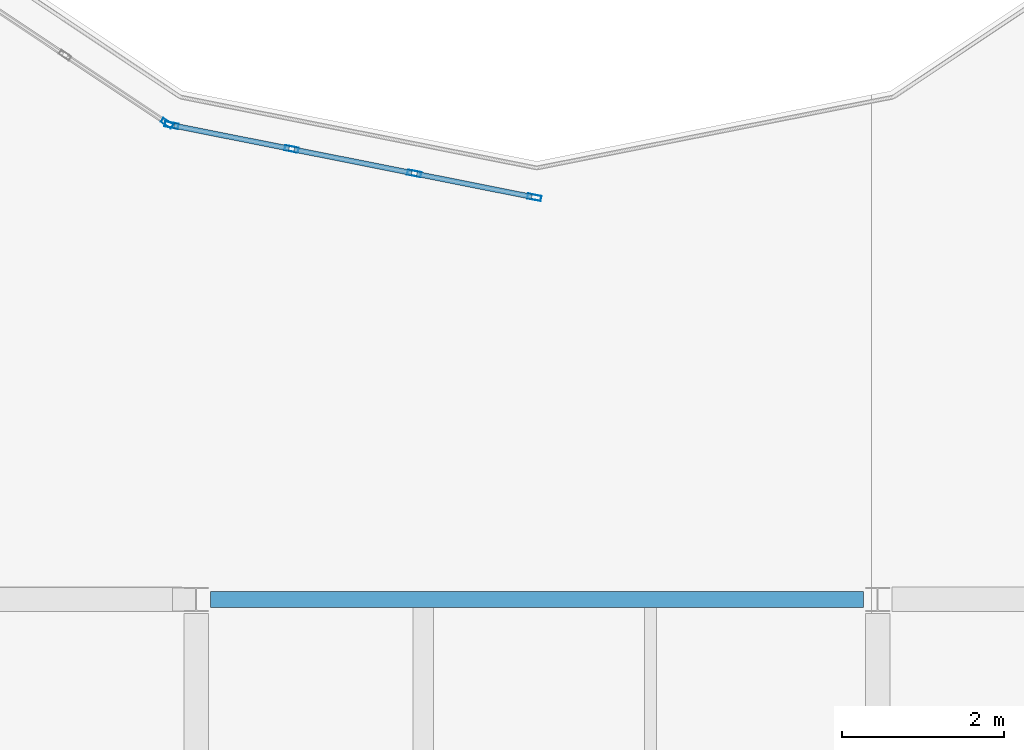
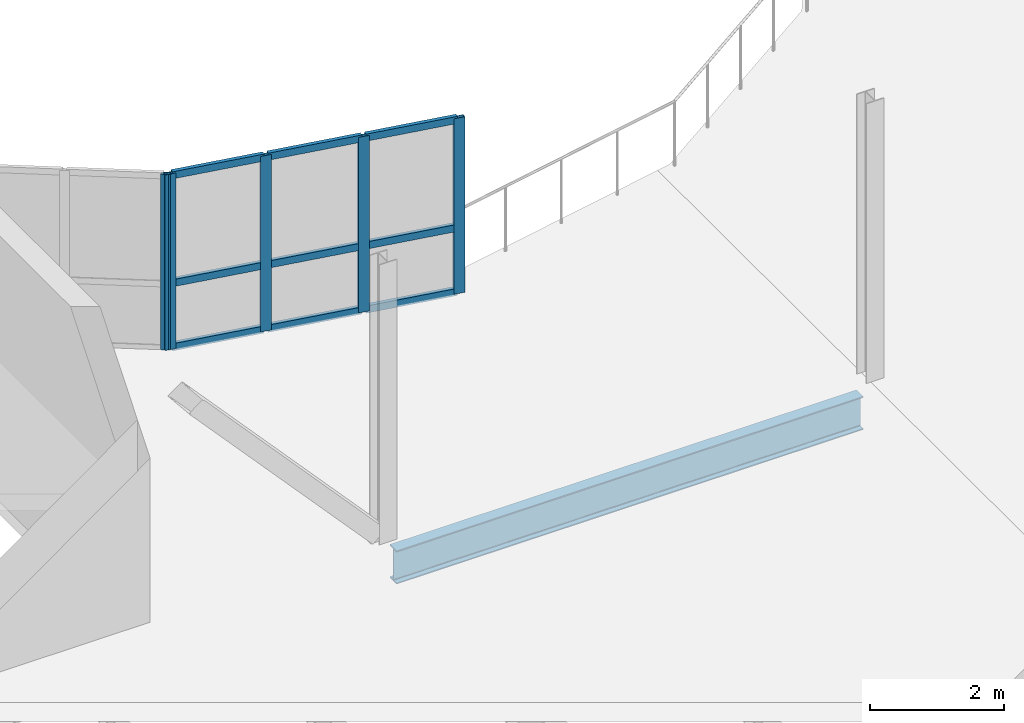
# One storey, part 17 of 91: 14 members, 1 beam, 2 elements without a shape of their own.
"""IFC4 building model written with IfcOpenShell, lengths in metres."""

from ifc_helpers import new_model, si_unit, direction, frame, origin, origin_2d, place, context, subcontext, project, spatial, hollow_rectangle, i_section, extrude, material, layer, layer_set, material_profile, profile_set, type_object, element, aggregate, save


model = new_model("IFC4")

# Units and contexts
model_context = context("Model", 3, precision=1e-05, world=origin(), true_north=direction((0.0, 1.0)))
body_context = subcontext(model_context, "Body", "Model", "MODEL_VIEW")
ifc_project = project(units=[si_unit("LENGTHUNIT", "METRE"), si_unit("AREAUNIT", "SQUARE_METRE"), si_unit("VOLUMEUNIT", "CUBIC_METRE"), si_unit("PLANEANGLEUNIT", "RADIAN"), si_unit("MASSUNIT", "GRAM", prefix="KILO"), si_unit("THERMODYNAMICTEMPERATUREUNIT", "KELVIN")], contexts=[model_context])

# Site, building, storey
site_placement = place(None, origin())
site = spatial("IfcSite", under=ifc_project, at=site_placement, CompositionType="ELEMENT")
building_placement = place(site_placement, origin())
building = spatial("IfcBuilding", under=site, at=building_placement, Name="Lustrewick Department Store", CompositionType="ELEMENT")
storey_placement = place(building_placement, frame((0.0, 0.0, 21.60009765625)))
storey = spatial("IfcBuildingStorey", under=building, at=storey_placement, Name="L05", CompositionType="ELEMENT", Elevation=21.60009765625)

# Curtain wall, members
ifc_material_1 = material(Name="Thermally broken aluminium 6063-T5", Category="aluminium")
ifc_layer_1 = layer(ifc_material_1, 0.169921875, Name="Thermally broken aluminium 6063-T5")
ifc_layer_set_1 = layer_set([ifc_layer_1], Name="Thermally broken aluminium 6063-T5")
curtain_wall_type_1 = type_object("IfcCurtainWallType", Name="CW16", PredefinedType="NOTDEFINED", material=ifc_layer_set_1)
curtain_wall_1_placement = place(storey_placement, origin())
curtain_wall_1 = element("IfcCurtainWall", 1, at=curtain_wall_1_placement, inside=storey, type_object=curtain_wall_type_1, Name="L05 Atrium Glazed Screen CW16", PredefinedType="NOTDEFINED")
ifc_material_profile_1 = material_profile(ifc_material_1, hollow_rectangle(XDim=0.06494140625, YDim=0.169921875, WallThickness=0.00390625, at=origin_2d()), Name="ALU-M 65x170x4")
ifc_profile_set_1 = profile_set([ifc_material_profile_1], Name="Thermally broken aluminium 6063-T5")
member_type_1 = type_object("IfcMemberType", Name="CW16-M1", PredefinedType="MULLION", material=ifc_profile_set_1)
member_1_placement = place(storey_placement, frame((24.89697265625, 56.24560546875, 0.0), z_axis=(0.0, 0.0, 1.0), x_axis=(0.195084537521, 0.980786430993, 0.0)))
member_1 = element("IfcMember", 2, at=member_1_placement, type_object=member_type_1, Name="CW16 mullion 1", PredefinedType="MULLION", context=body_context, shape_type="SweptSolid", body=[
    extrude(hollow_rectangle(XDim=0.06494140625, YDim=0.169921875, WallThickness=0.00390625, at=origin_2d()), origin(), (0.0, 0.0, 1.0), 3.199951171875),
])
member_2_placement = place(storey_placement, frame((26.376708984375, 55.951416015625, 0.0), z_axis=(0.0, 0.0, 1.0), x_axis=(0.195084537521, 0.980786430993, 0.0)))
member_2 = element("IfcMember", 3, at=member_2_placement, type_object=member_type_1, Name="CW16 mullion 2", PredefinedType="MULLION", context=body_context, shape_type="SweptSolid", body=[
    extrude(hollow_rectangle(XDim=0.06494140625, YDim=0.169921875, WallThickness=0.00390625, at=origin_2d()), origin(), (0.0, 0.0, 1.0), 3.199951171875),
])
member_3_placement = place(storey_placement, frame((27.888427734375, 55.650634765625, 0.0), z_axis=(0.0, 0.0, 1.0), x_axis=(0.195084537521, 0.980786430993, 0.0)))
member_3 = element("IfcMember", 4, at=member_3_placement, type_object=member_type_1, Name="CW16 mullion 3", PredefinedType="MULLION", context=body_context, shape_type="SweptSolid", body=[
    extrude(hollow_rectangle(XDim=0.06494140625, YDim=0.169921875, WallThickness=0.00390625, at=origin_2d()), origin(), (0.0, 0.0, 1.0), 3.199951171875),
])
member_4_placement = place(storey_placement, frame((29.3681640625, 55.3564453125, 0.0), z_axis=(0.0, 0.0, 1.0), x_axis=(0.195084537521, 0.980786430993, 0.0)))
member_4 = element("IfcMember", 5, at=member_4_placement, type_object=member_type_1, Name="CW16 mullion 4", PredefinedType="MULLION", context=body_context, shape_type="SweptSolid", body=[
    extrude(hollow_rectangle(XDim=0.06494140625, YDim=0.169921875, WallThickness=0.00390625, at=origin_2d()), origin(), (0.0, 0.0, 1.0), 3.199951171875),
])
ifc_material_profile_2 = material_profile(ifc_material_1, hollow_rectangle(XDim=0.06494140625, YDim=0.1298828125, WallThickness=0.00341796875, at=origin_2d()), Name="ALU-T 65x130x3.5")
ifc_profile_set_2 = profile_set([ifc_material_profile_2], Name="Thermally broken aluminium 6063-T5")
member_type_2 = type_object("IfcMemberType", Name="CW16-T1", PredefinedType="USERDEFINED", material=ifc_profile_set_2)
member_5_placement = place(storey_placement, frame((24.928955078125, 56.2392578125, 0.032470703125), z_axis=(0.980807656141, -0.19497779785, 0.0), x_axis=(0.19497779785, 0.980807656141, 0.0)))
member_5 = element("IfcMember", 6, at=member_5_placement, type_object=member_type_2, Name="CW16 transom 1.1", ObjectType="TRANSOM", PredefinedType="USERDEFINED", context=body_context, shape_type="SweptSolid", body=[
    extrude(hollow_rectangle(XDim=0.06494140625, YDim=0.1298828125, WallThickness=0.00341796875, at=origin_2d()), origin(), (0.0, 0.0, 1.0), 1.443603515625),
])
member_6_placement = place(storey_placement, frame((24.928955078125, 56.2392578125, 1.199951171875), z_axis=(0.980807656141, -0.19497779785, 0.0), x_axis=(0.19497779785, 0.980807656141, 0.0)))
member_6 = element("IfcMember", 7, at=member_6_placement, type_object=member_type_2, Name="CW16 transom 1.2", ObjectType="TRANSOM", PredefinedType="USERDEFINED", context=body_context, shape_type="SweptSolid", body=[
    extrude(hollow_rectangle(XDim=0.06494140625, YDim=0.1298828125, WallThickness=0.00341796875, at=origin_2d()), origin(), (0.0, 0.0, 1.0), 1.443603515625),
])
member_7_placement = place(storey_placement, frame((24.928955078125, 56.2392578125, 3.16748046875), z_axis=(0.980807656141, -0.19497779785, 0.0), x_axis=(0.19497779785, 0.980807656141, 0.0)))
member_7 = element("IfcMember", 8, at=member_7_placement, type_object=member_type_2, Name="CW16 transom 1.3", ObjectType="TRANSOM", PredefinedType="USERDEFINED", context=body_context, shape_type="SweptSolid", body=[
    extrude(hollow_rectangle(XDim=0.06494140625, YDim=0.1298828125, WallThickness=0.00341796875, at=origin_2d()), origin(), (0.0, 0.0, 1.0), 1.443603515625),
])
member_8_placement = place(storey_placement, frame((26.40869140625, 55.945068359375, 0.032470703125), z_axis=(0.980771047684, -0.195161861091, 0.0), x_axis=(0.195161861091, 0.980771047684, 0.0)))
member_8 = element("IfcMember", 9, at=member_8_placement, type_object=member_type_2, Name="CW16 transom 2.1", ObjectType="TRANSOM", PredefinedType="USERDEFINED", context=body_context, shape_type="SweptSolid", body=[
    extrude(hollow_rectangle(XDim=0.06494140625, YDim=0.1298828125, WallThickness=0.00341796875, at=origin_2d()), origin(), (0.0, 0.0, 1.0), 1.47607421875),
])
member_9_placement = place(storey_placement, frame((26.40869140625, 55.945068359375, 1.199951171875), z_axis=(0.980771047684, -0.195161861091, 0.0), x_axis=(0.195161861091, 0.980771047684, 0.0)))
member_9 = element("IfcMember", 10, at=member_9_placement, type_object=member_type_2, Name="CW16 transom 2.2", ObjectType="TRANSOM", PredefinedType="USERDEFINED", context=body_context, shape_type="SweptSolid", body=[
    extrude(hollow_rectangle(XDim=0.06494140625, YDim=0.1298828125, WallThickness=0.00341796875, at=origin_2d()), origin(), (0.0, 0.0, 1.0), 1.47607421875),
])
member_10_placement = place(storey_placement, frame((26.40869140625, 55.945068359375, 3.16748046875), z_axis=(0.980771047684, -0.195161861091, 0.0), x_axis=(0.195161861091, 0.980771047684, 0.0)))
member_10 = element("IfcMember", 11, at=member_10_placement, type_object=member_type_2, Name="CW16 transom 2.3", ObjectType="TRANSOM", PredefinedType="USERDEFINED", context=body_context, shape_type="SweptSolid", body=[
    extrude(hollow_rectangle(XDim=0.06494140625, YDim=0.1298828125, WallThickness=0.00341796875, at=origin_2d()), origin(), (0.0, 0.0, 1.0), 1.47607421875),
])
member_11_placement = place(storey_placement, frame((27.920166015625, 55.644287109375, 0.032470703125), z_axis=(0.980807656141, -0.19497779785, 0.0), x_axis=(0.19497779785, 0.980807656141, 0.0)))
member_11 = element("IfcMember", 12, at=member_11_placement, type_object=member_type_2, Name="CW16 transom 3.1", ObjectType="TRANSOM", PredefinedType="USERDEFINED", context=body_context, shape_type="SweptSolid", body=[
    extrude(hollow_rectangle(XDim=0.06494140625, YDim=0.1298828125, WallThickness=0.00341796875, at=origin_2d()), origin(), (0.0, 0.0, 1.0), 1.443603515625),
])
member_12_placement = place(storey_placement, frame((27.920166015625, 55.644287109375, 1.199951171875), z_axis=(0.980807656141, -0.19497779785, 0.0), x_axis=(0.19497779785, 0.980807656141, 0.0)))
member_12 = element("IfcMember", 13, at=member_12_placement, type_object=member_type_2, Name="CW16 transom 3.2", ObjectType="TRANSOM", PredefinedType="USERDEFINED", context=body_context, shape_type="SweptSolid", body=[
    extrude(hollow_rectangle(XDim=0.06494140625, YDim=0.1298828125, WallThickness=0.00341796875, at=origin_2d()), origin(), (0.0, 0.0, 1.0), 1.443603515625),
])
member_13_placement = place(storey_placement, frame((27.920166015625, 55.644287109375, 3.16748046875), z_axis=(0.980807656141, -0.19497779785, 0.0), x_axis=(0.19497779785, 0.980807656141, 0.0)))
member_13 = element("IfcMember", 14, at=member_13_placement, type_object=member_type_2, Name="CW16 transom 3.3", ObjectType="TRANSOM", PredefinedType="USERDEFINED", context=body_context, shape_type="SweptSolid", body=[
    extrude(hollow_rectangle(XDim=0.06494140625, YDim=0.1298828125, WallThickness=0.00341796875, at=origin_2d()), origin(), (0.0, 0.0, 1.0), 1.443603515625),
])
aggregate(curtain_wall_1, [member_1, member_2, member_3, member_4, member_5, member_6, member_7, member_8, member_9, member_10, member_11, member_12, member_13])

# Curtain wall, member
ifc_layer_2 = layer(ifc_material_1, 0.14990234375, Name="Thermally broken aluminium 6063-T5")
ifc_layer_set_2 = layer_set([ifc_layer_2], Name="Thermally broken aluminium 6063-T5")
curtain_wall_type_2 = type_object("IfcCurtainWallType", Name="CW18", PredefinedType="NOTDEFINED", material=ifc_layer_set_2)
curtain_wall_2_placement = place(storey_placement, origin())
curtain_wall_2 = element("IfcCurtainWall", 15, at=curtain_wall_2_placement, inside=storey, type_object=curtain_wall_type_2, Name="L05 Atrium Glazed Screen CW18", PredefinedType="NOTDEFINED")
ifc_material_profile_3 = material_profile(ifc_material_1, hollow_rectangle(XDim=0.06005859375, YDim=0.14990234375, WallThickness=0.00341796875, at=origin_2d()), Name="ALU-M 60x150x3.5")
ifc_profile_set_3 = profile_set([ifc_material_profile_3], Name="Thermally broken aluminium 6063-T5")
member_type_3 = type_object("IfcMemberType", Name="CW18-M1", PredefinedType="MULLION", material=ifc_profile_set_3)
member_14_placement = place(storey_placement, frame((24.84033203125, 56.2685546875, 0.0), z_axis=(0.0, 0.0, 1.0), x_axis=(0.555578313862, 0.831464212799, 0.0)))
member_14 = element("IfcMember", 16, at=member_14_placement, type_object=member_type_3, Name="CW18 mullion 4", PredefinedType="MULLION", context=body_context, shape_type="SweptSolid", body=[
    extrude(hollow_rectangle(XDim=0.06005859375, YDim=0.14990234375, WallThickness=0.00341796875, at=origin_2d()), origin(), (0.0, 0.0, 1.0), 3.199951171875),
])
aggregate(curtain_wall_2, [member_14])

# Beam
ifc_material_2 = material(Name="Structural steel Q355B", Category="steel")
ifc_material_profile_4 = material_profile(ifc_material_2, i_section(OverallWidth=0.200927734375, OverallDepth=0.60595703125, WebThickness=0.011962890625, FlangeThickness=0.02001953125, FilletRadius=0.01806640625, at=origin_2d()), Name="HN 606x201x12x20")
ifc_profile_set_4 = profile_set([ifc_material_profile_4], Name="Structural steel Q355B")
beam_type = type_object("IfcBeamType", Name="G13", PredefinedType="BEAM", material=ifc_profile_set_4)
beam_placement = place(storey_placement, frame((25.375, 50.39990234375, -0.55810546875), z_axis=(1.0, 0.0, 0.0), x_axis=(0.0, 1.0, 0.0)))
element("IfcBeam", 17, at=beam_placement, inside=storey, type_object=beam_type, Name="L05 V1 Girder G13", PredefinedType="BEAM", context=body_context, shape_type="SweptSolid", body=[
    extrude(i_section(OverallWidth=0.200927734375, OverallDepth=0.60595703125, WebThickness=0.011962890625, FlangeThickness=0.02001953125, FilletRadius=0.01806640625, at=origin_2d()), origin(), (0.0, 0.0, 1.0), 8.050048828125),
])

save(model, "model.ifc")
